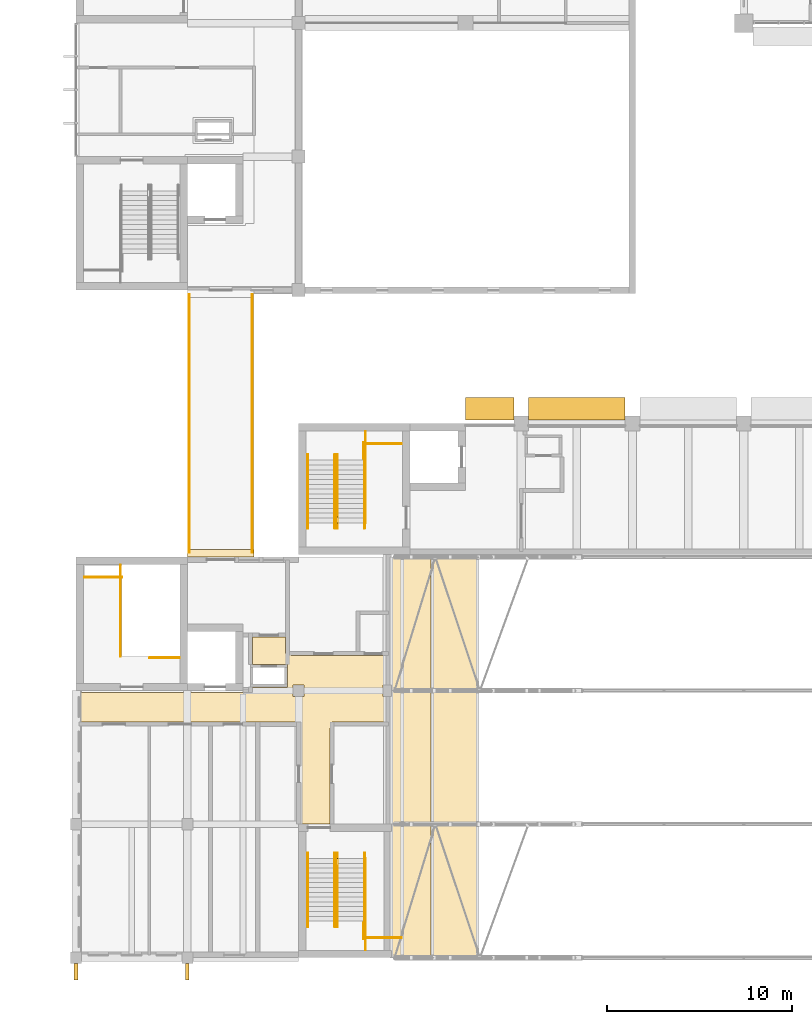
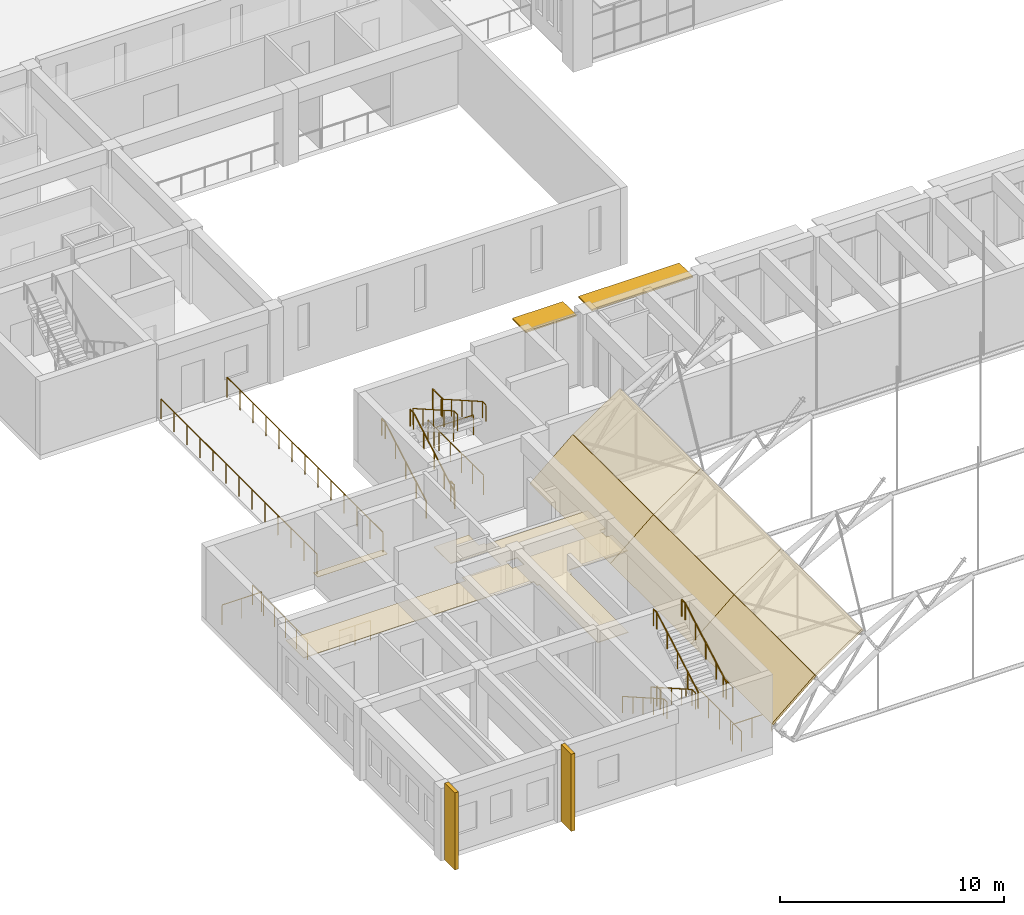
# One storey, part 89 of 101: 21 railings, 8 coverings, 4 shading devices.
"""IFC4 building model written with IfcOpenShell, lengths in metres."""

from ifc_helpers import new_model, si_unit, direction, frame, origin, origin_2d, place, context, subcontext, project, spatial, polyline, rectangle, circle, outline, extrude, material, layer, layer_set, type_object, element, save


model = new_model("IFC4")

# Units and contexts
model_context = context("Model", 3, precision=1e-05, world=origin(), true_north=direction((0.0, 1.0)))
body_context = subcontext(model_context, "Body", "Model", "MODEL_VIEW")
ifc_project = project(units=[si_unit("LENGTHUNIT", "METRE"), si_unit("AREAUNIT", "SQUARE_METRE"), si_unit("VOLUMEUNIT", "CUBIC_METRE"), si_unit("PLANEANGLEUNIT", "RADIAN"), si_unit("MASSUNIT", "GRAM", prefix="KILO")], contexts=[model_context])

# Site, building, storey
site_placement = place(None, origin())
site = spatial("IfcSite", under=ifc_project, at=site_placement, CompositionType="ELEMENT")
building_placement = place(site_placement, origin())
building = spatial("IfcBuilding", under=site, at=building_placement, Name="Laocheng Heights Fire and Rescue Headquarters", CompositionType="ELEMENT")
storey_placement = place(building_placement, frame((0.0, 0.0, 8.39990234375)))
storey = spatial("IfcBuildingStorey", under=building, at=storey_placement, Name="L02", CompositionType="ELEMENT", Elevation=8.39990234375)

# Coverings
ifc_material_1 = material(Name="Standing-seam aluminium roof panel on insulated profiled deck", Category="aluminium")
ifc_layer_1 = layer(ifc_material_1, 0.1201171875)
ifc_layer_set_1 = layer_set([ifc_layer_1], Name="Standing-seam aluminium roof panel on insulated profiled deck")
covering_type_1 = type_object("IfcCoveringType", Name="BAY ROOF COVERING 120", PredefinedType="ROOFING", material=ifc_layer_set_1)
covering_1_placement = place(storey_placement, frame((16.926513671875, 0.0, 1.275634765625), z_axis=(-0.64997068291, 0.0, 0.759959282697), x_axis=(0.759959282697, 0.0, 0.64997068291)))
element("IfcCovering", 1, at=covering_1_placement, inside=storey, type_object=covering_type_1, Name="Roof covering facet 01 bay 1", PredefinedType="ROOFING", context=body_context, shape_type="SweptSolid", body=[
    extrude(outline(polyline([(0.0, 0.0), (2.916673017676569, 0.0), (2.916673017676569, 7.199951171875), (0.0, 7.199951171875), (0.0, 0.0)])), origin(), (0.0, 0.0, -1.0), 0.1201171875),
])
covering_2_placement = place(storey_placement, frame((19.154296875, 0.0, 3.18017578125), z_axis=(-0.562371430188, 0.0, 0.826884740764), x_axis=(0.826884740764, 0.0, 0.562371430188)))
element("IfcCovering", 2, at=covering_2_placement, inside=storey, type_object=covering_type_1, Name="Roof covering facet 02 bay 1", PredefinedType="ROOFING", context=body_context, shape_type="SweptSolid", body=[
    extrude(outline(polyline([(0.0, 0.0), (2.936000938603124, 0.0), (2.936000938603124, 7.199951171875002), (0.0, 7.199951171875002), (0.0, 0.0)])), origin(), (0.0, 0.0, -1.0), 0.1201171875),
])
covering_3_placement = place(storey_placement, frame((16.926513671875, 7.199951171875, 1.275634765625), z_axis=(-0.64997068291, 0.0, 0.759959282697), x_axis=(0.759959282697, 0.0, 0.64997068291)))
element("IfcCovering", 3, at=covering_3_placement, inside=storey, type_object=covering_type_1, Name="Roof covering facet 01 bay 2", PredefinedType="ROOFING", context=body_context, shape_type="SweptSolid", body=[
    extrude(outline(polyline([(0.0, 0.0), (2.916673017676569, 0.0), (2.916673017676569, 7.199951171875), (0.0, 7.199951171875), (0.0, 0.0)])), origin(), (0.0, 0.0, -1.0), 0.1201171875),
])
covering_4_placement = place(storey_placement, frame((19.154296875, 7.199951171875, 3.18017578125), z_axis=(-0.562371430188, 0.0, 0.826884740764), x_axis=(0.826884740764, 0.0, 0.562371430188)))
element("IfcCovering", 4, at=covering_4_placement, inside=storey, type_object=covering_type_1, Name="Roof covering facet 02 bay 2", PredefinedType="ROOFING", context=body_context, shape_type="SweptSolid", body=[
    extrude(outline(polyline([(0.0, 0.0), (2.936000938603124, 0.0), (2.936000938603124, 7.199951171875002), (0.0, 7.199951171875002), (0.0, 0.0)])), origin(), (0.0, 0.0, -1.0), 0.1201171875),
])
covering_5_placement = place(storey_placement, frame((16.926513671875, 14.39990234375, 1.275634765625), z_axis=(-0.64997068291, 0.0, 0.759959282697), x_axis=(0.759959282697, 0.0, 0.64997068291)))
element("IfcCovering", 5, at=covering_5_placement, inside=storey, type_object=covering_type_1, Name="Roof covering facet 01 bay 3", PredefinedType="ROOFING", context=body_context, shape_type="SweptSolid", body=[
    extrude(outline(polyline([(0.0, 0.0), (2.916673017676569, 0.0), (2.916673017676569, 7.2001953125), (0.0, 7.2001953125), (0.0, 0.0)])), origin(), (0.0, 0.0, -1.0), 0.1201171875),
])
covering_6_placement = place(storey_placement, frame((19.154296875, 14.39990234375, 3.18017578125), z_axis=(-0.562371430188, 0.0, 0.826884740764), x_axis=(0.826884740764, 0.0, 0.562371430188)))
element("IfcCovering", 6, at=covering_6_placement, inside=storey, type_object=covering_type_1, Name="Roof covering facet 02 bay 3", PredefinedType="ROOFING", context=body_context, shape_type="SweptSolid", body=[
    extrude(outline(polyline([(0.0, 0.0), (2.936000938603124, 0.0), (2.936000938603124, 7.2001953125), (0.0, 7.2001953125), (0.0, 0.0)])), origin(), (0.0, 0.0, -1.0), 0.1201171875),
])
ifc_material_2 = material(Name="Stainless steel cover plate", Category="steel")
ifc_layer_2 = layer(ifc_material_2, 0.010009765625)
ifc_layer_set_2 = layer_set([ifc_layer_2], Name="Stainless steel cover plate")
covering_type_2 = type_object("IfcCoveringType", Name="MOVEMENT JOINT COVER PLATE 10", PredefinedType="FLOORING", material=ifc_layer_set_2)
covering_7_placement = place(storey_placement, frame((7.800048828125, 21.800048828125, -0.009765625), z_axis=(0.0, 0.0, 1.0), x_axis=(1.0, 0.0, 0.0)))
element("IfcCovering", 7, at=covering_7_placement, inside=storey, type_object=covering_type_2, Name="Bridge B1 movement joint cover plate", PredefinedType="FLOORING", context=body_context, shape_type="SweptSolid", body=[
    extrude(rectangle(XDim=3.60009765625, YDim=0.39990234375, at=origin_2d()), origin(), (0.0, 0.0, 1.0), 0.010009765625),
])

# Shading devices
ifc_material_3 = material(Name="Precast concrete C40/50, light warm grey", Category="concrete")
ifc_layer_3 = layer(ifc_material_3, 0.080078125)
ifc_layer_set_3 = layer_set([ifc_layer_3], Name="Precast concrete C40/50, light warm grey")
shading_device_type_1 = type_object("IfcShadingDeviceType", Name="PRECAST BLADE 1200 x 80 BRISE-SOLEIL GALLERY NORTH", PredefinedType="JALOUSIE", material=ifc_layer_set_3)
shading_device_1_placement = place(storey_placement, frame((22.300048828125, 29.60009765625, 3.56005859375), z_axis=(0.0, 0.0, 1.0), x_axis=(1.0, 0.0, 0.0)))
element("IfcShadingDevice", 8, at=shading_device_1_placement, inside=storey, type_object=shading_device_type_1, Name="BRISE-SOLEIL GALLERY NORTH L02", PredefinedType="JALOUSIE", context=body_context, shape_type="SweptSolid", body=[
    extrude(rectangle(XDim=2.60009765625, YDim=1.199951171875, at=origin_2d()), origin(), (0.0, 0.0, 1.0), 0.080078125),
])
shading_device_2_placement = place(storey_placement, frame((27.0, 29.60009765625, 3.56005859375), z_axis=(0.0, 0.0, 1.0), x_axis=(1.0, 0.0, 0.0)))
element("IfcShadingDevice", 9, at=shading_device_2_placement, inside=storey, type_object=shading_device_type_1, Name="BRISE-SOLEIL GALLERY NORTH L02", PredefinedType="JALOUSIE", context=body_context, shape_type="SweptSolid", body=[
    extrude(rectangle(XDim=5.199951171875, YDim=1.199951171875, at=origin_2d()), origin(), (0.0, 0.0, 1.0), 0.080078125),
])
ifc_material_4 = material(Name="Precast concrete C40/50, light warm grey", Category="concrete")
ifc_layer_4 = layer(ifc_material_4, 0.199951171875)
ifc_layer_set_4 = layer_set([ifc_layer_4], Name="Precast concrete C40/50, light warm grey")
shading_device_type_2 = type_object("IfcShadingDeviceType", Name="PRECAST VERTICAL FIN 200 x 900", PredefinedType="AWNING", material=ifc_layer_set_4)
for number, where, z_axis, x_axis, name in (
    (10, (0.0, -0.75, 0.0), (0.0, 0.0, 1.0), (1.0, 0.0, 0.0), "FIN W FLANK L02 x0"),
    (11, (6.0, -0.75, 0.0), (0.0, 0.0, 1.0), (1.0, 0.0, 0.0), "FIN W FLANK L02 x6"),
):
    element("IfcShadingDevice", number, at=place(storey_placement, frame(where, z_axis=z_axis, x_axis=x_axis)), inside=storey, type_object=shading_device_type_2, Name=name, PredefinedType="AWNING", context=body_context, shape_type="SweptSolid", body=[
        extrude(rectangle(XDim=0.199951171875, YDim=0.89990234375, at=origin_2d()), origin(), (0.0, 0.0, 1.0), 4.199951171875),
    ])

# Railings
ifc_material_5 = material(Name="Steel Q355B", Category="steel")
railing_type_1 = type_object("IfcRailingType", Name="STAIR GUARD 1100", PredefinedType="GUARDRAIL", material=ifc_material_5)
railing_1_placement = place(storey_placement, frame((2.47509765625, 20.52001953125, 0.0)))
element("IfcRailing", 12, at=railing_1_placement, inside=storey, type_object=railing_type_1, Name="Stair W1 guard L02 tongue edge", PredefinedType="GUARDRAIL", context=body_context, shape_type="SweptSolid", body=[
    extrude(circle(Radius=0.02392578125, at=origin_2d()), frame((0.0, 0.0, 1.076171875), z_axis=(-1.0, 0.0, 0.0), x_axis=(0.0, -1.0, 0.0)), (0.0, 0.0, 1.0), 2.025146484375),
    extrude(circle(Radius=0.02099609375, at=origin_2d()), origin(), (0.0, 0.0, 1.0), 1.052001953125),
    extrude(circle(Radius=0.02099609375, at=origin_2d()), frame((-1.0126953125, 0.0, 0.0)), (0.0, 0.0, 1.0), 1.052001953125),
    extrude(circle(Radius=0.02099609375, at=origin_2d()), frame((-2.025146484375, 0.0, 0.0)), (0.0, 0.0, 1.0), 1.052001953125),
])
railing_2_placement = place(storey_placement, frame((2.39501953125, 21.179931640625, 0.0)))
element("IfcRailing", 13, at=railing_2_placement, inside=storey, type_object=railing_type_1, Name="Stair W1 guard L02 strip edge", PredefinedType="GUARDRAIL", context=body_context, shape_type="SweptSolid", body=[
    extrude(circle(Radius=0.02392578125, at=origin_2d()), frame((0.0, 0.0, 1.076171875), z_axis=(0.0, -1.0, 0.0), x_axis=(1.0, 0.0, 0.0)), (0.0, 0.0, 1.0), 4.929931640625),
    extrude(circle(Radius=0.02099609375, at=origin_2d()), origin(), (0.0, 0.0, 1.0), 1.052001953125),
    extrude(circle(Radius=0.02099609375, at=origin_2d()), frame((0.0, -0.986083984375, 0.0)), (0.0, 0.0, 1.0), 1.052001953125),
    extrude(circle(Radius=0.02099609375, at=origin_2d()), frame((0.0, -1.971923828125, 0.0)), (0.0, 0.0, 1.0), 1.052001953125),
    extrude(circle(Radius=0.02099609375, at=origin_2d()), frame((0.0, -2.9580078125, 0.0)), (0.0, 0.0, 1.0), 1.052001953125),
    extrude(circle(Radius=0.02099609375, at=origin_2d()), frame((0.0, -3.94384765625, 0.0)), (0.0, 0.0, 1.0), 1.052001953125),
    extrude(circle(Radius=0.02099609375, at=origin_2d()), frame((0.0, -4.929931640625, 0.0)), (0.0, 0.0, 1.0), 1.052001953125),
])
railing_3_placement = place(storey_placement, frame((5.580078125, 16.169921875, 0.0)))
element("IfcRailing", 14, at=railing_3_placement, inside=storey, type_object=railing_type_1, Name="Stair W1 guard L02 flight opening", PredefinedType="GUARDRAIL", context=body_context, shape_type="SweptSolid", body=[
    extrude(circle(Radius=0.02392578125, at=origin_2d()), frame((0.0, 0.0, 1.076171875), z_axis=(-1.0, 0.0, 0.0), x_axis=(0.0, -1.0, 0.0)), (0.0, 0.0, 1.0), 1.60498046875),
    extrude(circle(Radius=0.02099609375, at=origin_2d()), origin(), (0.0, 0.0, 1.0), 1.052001953125),
    extrude(circle(Radius=0.02099609375, at=origin_2d()), frame((-0.802490234375, 0.0, 0.0)), (0.0, 0.0, 1.0), 1.052001953125),
    extrude(circle(Radius=0.02099609375, at=origin_2d()), frame((-1.60498046875, 0.0, 0.0)), (0.0, 0.0, 1.0), 1.052001953125),
])
railing_4_placement = place(storey_placement, frame((14.094970703125, 5.0498046875, 0.0)))
element("IfcRailing", 15, at=railing_4_placement, inside=storey, type_object=railing_type_1, Name="Stair W2 guard L02 well edge", PredefinedType="GUARDRAIL", context=body_context, shape_type="SweptSolid", body=[
    extrude(circle(Radius=0.02392578125, at=origin_2d()), frame((0.0, 0.0, 1.076171875), z_axis=(0.0, 1.0, 0.0), x_axis=(-1.0, 0.0, 0.0)), (0.0, 0.0, 1.0), 0.30029296875),
    extrude(circle(Radius=0.02099609375, at=origin_2d()), origin(), (0.0, 0.0, 1.0), 1.052001953125),
    extrude(circle(Radius=0.02099609375, at=origin_2d()), frame((0.0, 0.30029296875, 0.0)), (0.0, 0.0, 1.0), 1.052001953125),
])
railing_5_placement = place(storey_placement, frame((15.52490234375, 1.080078125, 0.0)))
element("IfcRailing", 16, at=railing_5_placement, inside=storey, type_object=railing_type_1, Name="Stair W2 guard L02 tongue edge", PredefinedType="GUARDRAIL", context=body_context, shape_type="SweptSolid", body=[
    extrude(circle(Radius=0.02392578125, at=origin_2d()), frame((0.0, 0.0, 1.076171875), z_axis=(1.0, 0.0, 0.0), x_axis=(0.0, 1.0, 0.0)), (0.0, 0.0, 1.0), 2.025146484375),
    extrude(circle(Radius=0.02099609375, at=origin_2d()), origin(), (0.0, 0.0, 1.0), 1.052001953125),
    extrude(circle(Radius=0.02099609375, at=origin_2d()), frame((1.0126953125, 0.0, 0.0)), (0.0, 0.0, 1.0), 1.052001953125),
    extrude(circle(Radius=0.02099609375, at=origin_2d()), frame((2.025146484375, 0.0, 0.0)), (0.0, 0.0, 1.0), 1.052001953125),
])
railing_6_placement = place(storey_placement, frame((15.60498046875, 0.419921875, 0.0)))
element("IfcRailing", 17, at=railing_6_placement, inside=storey, type_object=railing_type_1, Name="Stair W2 guard L02 strip edge", PredefinedType="GUARDRAIL", context=body_context, shape_type="SweptSolid", body=[
    extrude(circle(Radius=0.02392578125, at=origin_2d()), frame((0.0, 0.0, 1.076171875), z_axis=(0.0, 1.0, 0.0), x_axis=(-1.0, 0.0, 0.0)), (0.0, 0.0, 1.0), 4.93017578125),
    extrude(circle(Radius=0.02099609375, at=origin_2d()), origin(), (0.0, 0.0, 1.0), 1.052001953125),
    extrude(circle(Radius=0.02099609375, at=origin_2d()), frame((0.0, 0.986083984375, 0.0)), (0.0, 0.0, 1.0), 1.052001953125),
    extrude(circle(Radius=0.02099609375, at=origin_2d()), frame((0.0, 1.97216796875, 0.0)), (0.0, 0.0, 1.0), 1.052001953125),
    extrude(circle(Radius=0.02099609375, at=origin_2d()), frame((0.0, 2.9580078125, 0.0)), (0.0, 0.0, 1.0), 1.052001953125),
    extrude(circle(Radius=0.02099609375, at=origin_2d()), frame((0.0, 3.944091796875, 0.0)), (0.0, 0.0, 1.0), 1.052001953125),
    extrude(circle(Radius=0.02099609375, at=origin_2d()), frame((0.0, 4.93017578125, 0.0)), (0.0, 0.0, 1.0), 1.052001953125),
])
railing_7_placement = place(storey_placement, frame((15.4951171875, 1.02001953125, 2.10009765625)))
element("IfcRailing", 18, at=railing_7_placement, inside=storey, type_object=railing_type_1, Name="Stair W2 guard L02 half landing", PredefinedType="GUARDRAIL", context=body_context, shape_type="SweptSolid", body=[
    extrude(circle(Radius=0.02392578125, at=origin_2d()), frame((0.0, 0.0, 1.076171875), z_axis=(0.0, 1.0, 0.0), x_axis=(-1.0, 0.0, 0.0)), (0.0, 0.0, 1.0), 0.85009765625),
    extrude(circle(Radius=0.02099609375, at=origin_2d()), origin(), (0.0, 0.0, 1.0), 1.052001953125),
    extrude(circle(Radius=0.02099609375, at=origin_2d()), frame((0.0, 0.85009765625, 0.0)), (0.0, 0.0, 1.0), 1.052001953125),
])
railing_8_placement = place(storey_placement, frame((14.094970703125, 23.750244140625, 0.0)))
element("IfcRailing", 19, at=railing_8_placement, inside=storey, type_object=railing_type_1, Name="Stair G1 guard L02 well edge", PredefinedType="GUARDRAIL", context=body_context, shape_type="SweptSolid", body=[
    extrude(circle(Radius=0.02392578125, at=origin_2d()), frame((0.0, 0.0, 1.076171875), z_axis=(0.0, -1.0, 0.0), x_axis=(1.0, 0.0, 0.0)), (0.0, 0.0, 1.0), 0.30029296875),
    extrude(circle(Radius=0.02099609375, at=origin_2d()), origin(), (0.0, 0.0, 1.0), 1.052001953125),
    extrude(circle(Radius=0.02099609375, at=origin_2d()), frame((0.0, -0.30029296875, 0.0)), (0.0, 0.0, 1.0), 1.052001953125),
])
railing_9_placement = place(storey_placement, frame((15.52490234375, 27.719970703125, 0.0)))
element("IfcRailing", 20, at=railing_9_placement, inside=storey, type_object=railing_type_1, Name="Stair G1 guard L02 tongue edge", PredefinedType="GUARDRAIL", context=body_context, shape_type="SweptSolid", body=[
    extrude(circle(Radius=0.02392578125, at=origin_2d()), frame((0.0, 0.0, 1.076171875), z_axis=(1.0, 0.0, 0.0), x_axis=(0.0, 1.0, 0.0)), (0.0, 0.0, 1.0), 2.025146484375),
    extrude(circle(Radius=0.02099609375, at=origin_2d()), origin(), (0.0, 0.0, 1.0), 1.052001953125),
    extrude(circle(Radius=0.02099609375, at=origin_2d()), frame((1.0126953125, 0.0, 0.0)), (0.0, 0.0, 1.0), 1.052001953125),
    extrude(circle(Radius=0.02099609375, at=origin_2d()), frame((2.025146484375, 0.0, 0.0)), (0.0, 0.0, 1.0), 1.052001953125),
])
railing_10_placement = place(storey_placement, frame((15.60498046875, 28.3798828125, 0.0)))
element("IfcRailing", 21, at=railing_10_placement, inside=storey, type_object=railing_type_1, Name="Stair G1 guard L02 strip edge", PredefinedType="GUARDRAIL", context=body_context, shape_type="SweptSolid", body=[
    extrude(circle(Radius=0.02392578125, at=origin_2d()), frame((0.0, 0.0, 1.076171875), z_axis=(0.0, -1.0, 0.0), x_axis=(1.0, 0.0, 0.0)), (0.0, 0.0, 1.0), 4.929931640625),
    extrude(circle(Radius=0.02099609375, at=origin_2d()), origin(), (0.0, 0.0, 1.0), 1.052001953125),
    extrude(circle(Radius=0.02099609375, at=origin_2d()), frame((0.0, -0.986083984375, 0.0)), (0.0, 0.0, 1.0), 1.052001953125),
    extrude(circle(Radius=0.02099609375, at=origin_2d()), frame((0.0, -1.971923828125, 0.0)), (0.0, 0.0, 1.0), 1.052001953125),
    extrude(circle(Radius=0.02099609375, at=origin_2d()), frame((0.0, -2.9580078125, 0.0)), (0.0, 0.0, 1.0), 1.052001953125),
    extrude(circle(Radius=0.02099609375, at=origin_2d()), frame((0.0, -3.94384765625, 0.0)), (0.0, 0.0, 1.0), 1.052001953125),
    extrude(circle(Radius=0.02099609375, at=origin_2d()), frame((0.0, -4.929931640625, 0.0)), (0.0, 0.0, 1.0), 1.052001953125),
])
railing_11_placement = place(storey_placement, frame((15.4951171875, 27.780029296875, 2.10009765625)))
element("IfcRailing", 22, at=railing_11_placement, inside=storey, type_object=railing_type_1, Name="Stair G1 guard L02 half landing", PredefinedType="GUARDRAIL", context=body_context, shape_type="SweptSolid", body=[
    extrude(circle(Radius=0.02392578125, at=origin_2d()), frame((0.0, 0.0, 1.076171875), z_axis=(0.0, -1.0, 0.0), x_axis=(1.0, 0.0, 0.0)), (0.0, 0.0, 1.0), 0.85009765625),
    extrude(circle(Radius=0.02099609375, at=origin_2d()), origin(), (0.0, 0.0, 1.0), 1.052001953125),
    extrude(circle(Radius=0.02099609375, at=origin_2d()), frame((0.0, -0.85009765625, 0.0)), (0.0, 0.0, 1.0), 1.052001953125),
])
ifc_material_6 = material(Name="Steel Q355B", Category="steel")
railing_type_2 = type_object("IfcRailingType", Name="STAIR HANDRAIL 920", PredefinedType="HANDRAIL", material=ifc_material_6)
for number, where, name in (
    (23, (12.4951171875, 5.64990234375, 0.0), "Stair W2 handrail L02 1"),
    (24, (13.955078125, 5.64990234375, 0.0), "Stair W2 handrail L02 2"),
):
    element("IfcRailing", number, at=place(storey_placement, frame(where)), inside=storey, type_object=railing_type_2, Name=name, PredefinedType="HANDRAIL", context=body_context, shape_type="SweptSolid", body=[
        extrude(circle(Radius=0.02392578125, at=origin_2d()), frame((0.0, 0.0, 0.89599609375), z_axis=(0.0, -0.868519587458, 0.495654845838), x_axis=(1.0, 0.0, 0.0)), (0.0, 0.0, 1.0), 4.237060546875),
        extrude(circle(Radius=0.02392578125, at=origin_2d()), frame((0.0, -3.679931640625, 2.99609375), z_axis=(0.0, -1.0, 0.0), x_axis=(1.0, 0.0, 0.0)), (0.0, 0.0, 1.0), 0.300048828125),
        extrude(circle(Radius=0.02099609375, at=origin_2d()), origin(), (0.0, 0.0, 1.0), 0.871826171875),
        extrude(circle(Radius=0.02099609375, at=origin_2d()), frame((0.0, -0.919921875, 0.52490234375)), (0.0, 0.0, 1.0), 0.871826171875),
        extrude(circle(Radius=0.02099609375, at=origin_2d()), frame((0.0, -1.83984375, 1.050048828125)), (0.0, 0.0, 1.0), 0.871826171875),
        extrude(circle(Radius=0.02099609375, at=origin_2d()), frame((0.0, -2.760009765625, 1.5751953125)), (0.0, 0.0, 1.0), 0.871826171875),
        extrude(circle(Radius=0.02099609375, at=origin_2d()), frame((0.0, -3.679931640625, 2.10009765625)), (0.0, 0.0, 1.0), 0.871826171875),
        extrude(circle(Radius=0.02099609375, at=origin_2d()), frame((0.0, -3.97998046875, 2.10009765625)), (0.0, 0.0, 1.0), 0.871826171875),
    ])
for number, where, name in (
    (25, (14.094970703125, 1.669921875, 2.10009765625), "Stair W2 handrail L02 3"),
    (26, (15.554931640625, 1.669921875, 2.10009765625), "Stair W2 handrail L02 4"),
    (27, (12.4951171875, 23.14990234375, 0.0), "Stair G1 handrail L02 1"),
    (28, (13.955078125, 23.14990234375, 0.0), "Stair G1 handrail L02 2"),
):
    element("IfcRailing", number, at=place(storey_placement, frame(where)), inside=storey, type_object=railing_type_2, Name=name, PredefinedType="HANDRAIL", context=body_context, shape_type="SweptSolid", body=[
        extrude(circle(Radius=0.02392578125, at=origin_2d()), frame((0.0, 0.0, 0.89599609375), z_axis=(0.0, 0.868533742332, 0.495630041896), x_axis=(-1.0, 0.0, 0.0)), (0.0, 0.0, 1.0), 4.2373046875),
        extrude(circle(Radius=0.02392578125, at=origin_2d()), frame((0.0, 3.68017578125, 2.99609375), z_axis=(0.0, 1.0, 0.0), x_axis=(-1.0, 0.0, 0.0)), (0.0, 0.0, 1.0), 0.2998046875),
        extrude(circle(Radius=0.02099609375, at=origin_2d()), origin(), (0.0, 0.0, 1.0), 0.871826171875),
        extrude(circle(Radius=0.02099609375, at=origin_2d()), frame((0.0, 0.919921875, 0.52490234375)), (0.0, 0.0, 1.0), 0.871826171875),
        extrude(circle(Radius=0.02099609375, at=origin_2d()), frame((0.0, 1.840087890625, 1.050048828125)), (0.0, 0.0, 1.0), 0.871826171875),
        extrude(circle(Radius=0.02099609375, at=origin_2d()), frame((0.0, 2.76025390625, 1.5751953125)), (0.0, 0.0, 1.0), 0.871826171875),
        extrude(circle(Radius=0.02099609375, at=origin_2d()), frame((0.0, 3.68017578125, 2.10009765625)), (0.0, 0.0, 1.0), 0.871826171875),
        extrude(circle(Radius=0.02099609375, at=origin_2d()), frame((0.0, 3.97998046875, 2.10009765625)), (0.0, 0.0, 1.0), 0.871826171875),
    ])
for number, where, name in (
    (29, (14.094970703125, 27.1298828125, 2.10009765625), "Stair G1 handrail L02 3"),
    (30, (15.554931640625, 27.1298828125, 2.10009765625), "Stair G1 handrail L02 4"),
):
    element("IfcRailing", number, at=place(storey_placement, frame(where)), inside=storey, type_object=railing_type_2, Name=name, PredefinedType="HANDRAIL", context=body_context, shape_type="SweptSolid", body=[
        extrude(circle(Radius=0.02392578125, at=origin_2d()), frame((0.0, 0.0, 0.89599609375), z_axis=(0.0, -0.868519587458, 0.495654845838), x_axis=(1.0, 0.0, 0.0)), (0.0, 0.0, 1.0), 4.237060546875),
        extrude(circle(Radius=0.02392578125, at=origin_2d()), frame((0.0, -3.679931640625, 2.99609375), z_axis=(0.0, -1.0, 0.0), x_axis=(1.0, 0.0, 0.0)), (0.0, 0.0, 1.0), 0.300048828125),
        extrude(circle(Radius=0.02099609375, at=origin_2d()), origin(), (0.0, 0.0, 1.0), 0.871826171875),
        extrude(circle(Radius=0.02099609375, at=origin_2d()), frame((0.0, -0.919921875, 0.52490234375)), (0.0, 0.0, 1.0), 0.871826171875),
        extrude(circle(Radius=0.02099609375, at=origin_2d()), frame((0.0, -1.83984375, 1.050048828125)), (0.0, 0.0, 1.0), 0.871826171875),
        extrude(circle(Radius=0.02099609375, at=origin_2d()), frame((0.0, -2.760009765625, 1.5751953125)), (0.0, 0.0, 1.0), 0.871826171875),
        extrude(circle(Radius=0.02099609375, at=origin_2d()), frame((0.0, -3.679931640625, 2.10009765625)), (0.0, 0.0, 1.0), 0.871826171875),
        extrude(circle(Radius=0.02099609375, at=origin_2d()), frame((0.0, -3.97998046875, 2.10009765625)), (0.0, 0.0, 1.0), 0.871826171875),
    ])
ifc_material_7 = material(Name="Steel Q355B", Category="steel")
railing_type_3 = type_object("IfcRailingType", Name="STEEL GUARDRAIL 1100 BRIDGE", PredefinedType="GUARDRAIL", material=ifc_material_7)
railing_12_placement = place(storey_placement, frame((6.10009765625, 35.75, 0.0)))
element("IfcRailing", 31, at=railing_12_placement, inside=storey, type_object=railing_type_3, Name="Bridge B1 guard", PredefinedType="GUARDRAIL", context=body_context, shape_type="SweptSolid", body=[
    extrude(circle(Radius=0.02490234375, at=origin_2d()), frame((0.0, 0.0, 1.0751953125), z_axis=(0.0, -1.0, 0.0), x_axis=(1.0, 0.0, 0.0)), (0.0, 0.0, 1.0), 13.89990234375),
    extrude(circle(Radius=0.02490234375, at=origin_2d()), origin(), (0.0, 0.0, 1.0), 1.050048828125),
    extrude(circle(Radius=0.02490234375, at=origin_2d()), frame((0.0, -1.158203125, 0.0)), (0.0, 0.0, 1.0), 1.050048828125),
    extrude(circle(Radius=0.02490234375, at=origin_2d()), frame((0.0, -2.316650390625, 0.0)), (0.0, 0.0, 1.0), 1.050048828125),
    extrude(circle(Radius=0.02490234375, at=origin_2d()), frame((0.0, -3.47509765625, 0.0)), (0.0, 0.0, 1.0), 1.050048828125),
    extrude(circle(Radius=0.02490234375, at=origin_2d()), frame((0.0, -4.63330078125, 0.0)), (0.0, 0.0, 1.0), 1.050048828125),
    extrude(circle(Radius=0.02490234375, at=origin_2d()), frame((0.0, -5.79150390625, 0.0)), (0.0, 0.0, 1.0), 1.050048828125),
    extrude(circle(Radius=0.02490234375, at=origin_2d()), frame((0.0, -6.949951171875, 0.0)), (0.0, 0.0, 1.0), 1.050048828125),
    extrude(circle(Radius=0.02490234375, at=origin_2d()), frame((0.0, -8.1083984375, 0.0)), (0.0, 0.0, 1.0), 1.050048828125),
    extrude(circle(Radius=0.02490234375, at=origin_2d()), frame((0.0, -9.2666015625, 0.0)), (0.0, 0.0, 1.0), 1.050048828125),
    extrude(circle(Radius=0.02490234375, at=origin_2d()), frame((0.0, -10.4248046875, 0.0)), (0.0, 0.0, 1.0), 1.050048828125),
    extrude(circle(Radius=0.02490234375, at=origin_2d()), frame((0.0, -11.583251953125, 0.0)), (0.0, 0.0, 1.0), 1.050048828125),
    extrude(circle(Radius=0.02490234375, at=origin_2d()), frame((0.0, -12.74169921875, 0.0)), (0.0, 0.0, 1.0), 1.050048828125),
    extrude(circle(Radius=0.02490234375, at=origin_2d()), frame((0.0, -13.89990234375, 0.0)), (0.0, 0.0, 1.0), 1.050048828125),
])
railing_13_placement = place(storey_placement, frame((9.5, 21.85009765625, 0.0)))
element("IfcRailing", 32, at=railing_13_placement, inside=storey, type_object=railing_type_3, Name="Bridge B1 guard", PredefinedType="GUARDRAIL", context=body_context, shape_type="SweptSolid", body=[
    extrude(circle(Radius=0.02490234375, at=origin_2d()), frame((0.0, 0.0, 1.0751953125), z_axis=(0.0, 1.0, 0.0), x_axis=(-1.0, 0.0, 0.0)), (0.0, 0.0, 1.0), 13.89990234375),
    extrude(circle(Radius=0.02490234375, at=origin_2d()), origin(), (0.0, 0.0, 1.0), 1.050048828125),
    extrude(circle(Radius=0.02490234375, at=origin_2d()), frame((0.0, 1.158203125, 0.0)), (0.0, 0.0, 1.0), 1.050048828125),
    extrude(circle(Radius=0.02490234375, at=origin_2d()), frame((0.0, 2.316650390625, 0.0)), (0.0, 0.0, 1.0), 1.050048828125),
    extrude(circle(Radius=0.02490234375, at=origin_2d()), frame((0.0, 3.47509765625, 0.0)), (0.0, 0.0, 1.0), 1.050048828125),
    extrude(circle(Radius=0.02490234375, at=origin_2d()), frame((0.0, 4.63330078125, 0.0)), (0.0, 0.0, 1.0), 1.050048828125),
    extrude(circle(Radius=0.02490234375, at=origin_2d()), frame((0.0, 5.79150390625, 0.0)), (0.0, 0.0, 1.0), 1.050048828125),
    extrude(circle(Radius=0.02490234375, at=origin_2d()), frame((0.0, 6.949951171875, 0.0)), (0.0, 0.0, 1.0), 1.050048828125),
    extrude(circle(Radius=0.02490234375, at=origin_2d()), frame((0.0, 8.1083984375, 0.0)), (0.0, 0.0, 1.0), 1.050048828125),
    extrude(circle(Radius=0.02490234375, at=origin_2d()), frame((0.0, 9.2666015625, 0.0)), (0.0, 0.0, 1.0), 1.050048828125),
    extrude(circle(Radius=0.02490234375, at=origin_2d()), frame((0.0, 10.4248046875, 0.0)), (0.0, 0.0, 1.0), 1.050048828125),
    extrude(circle(Radius=0.02490234375, at=origin_2d()), frame((0.0, 11.583251953125, 0.0)), (0.0, 0.0, 1.0), 1.050048828125),
    extrude(circle(Radius=0.02490234375, at=origin_2d()), frame((0.0, 12.74169921875, 0.0)), (0.0, 0.0, 1.0), 1.050048828125),
    extrude(circle(Radius=0.02490234375, at=origin_2d()), frame((0.0, 13.89990234375, 0.0)), (0.0, 0.0, 1.0), 1.050048828125),
])

# Covering
ifc_material_8 = material(Name="Mineral fibre ceiling tile")
ifc_layer_5 = layer(ifc_material_8, 0.0400390625)
ifc_layer_set_5 = layer_set([ifc_layer_5], Name="Mineral fibre ceiling tile")
covering_type_3 = type_object("IfcCoveringType", Name="SUSPENDED CEILING MINERAL FIBRE TILE", PredefinedType="CEILING", material=ifc_layer_set_5)
covering_8_placement = place(storey_placement, frame((0.0, 0.0, 3.0)))
element("IfcCovering", 33, at=covering_8_placement, inside=storey, type_object=covering_type_3, Name="Circulation W flank ceiling", PredefinedType="CEILING", context=body_context, shape_type="SweptSolid", body=[
    extrude(outline(polyline([(9.39990234375, 14.300048828125), (9.39990234375, 14.39990234375), (9.39990234375, 14.60009765625), (9.5, 14.60009765625), (11.199951171875, 14.60009765625), (11.39990234375, 14.60009765625), (11.39990234375, 15.800048828125), (11.300048828125, 15.800048828125), (11.199951171875, 15.800048828125), (9.5, 15.800048828125), (9.5, 17.300048828125), (11.300048828125, 17.300048828125), (11.300048828125, 16.39990234375), (11.39990234375, 16.39990234375), (11.60009765625, 16.39990234375), (11.60009765625, 16.300048828125), (16.85009765625, 16.300048828125), (16.85009765625, 14.699951171875), (16.550048828125, 14.699951171875), (16.550048828125, 14.10009765625), (16.85009765625, 14.10009765625), (16.85009765625, 12.719970703125), (13.800048828125, 12.719970703125), (13.800048828125, 12.60009765625), (13.800048828125, 12.39990234375), (13.699951171875, 12.39990234375), (13.699951171875, 7.199951171875), (12.1201171875, 7.199951171875), (12.1201171875, 12.39990234375), (12.0, 12.39990234375), (12.0, 12.60009765625), (12.0, 12.719970703125), (0.14990234375, 12.719970703125), (0.14990234375, 14.300048828125), (9.39990234375, 14.300048828125)]), holes=[polyline([(11.699951171875, 14.10009765625), (12.300048828125, 14.10009765625), (12.300048828125, 14.699951171875), (11.699951171875, 14.699951171875), (11.699951171875, 14.10009765625)])]), origin(), (0.0, 0.0, 1.0), 0.0400390625),
])

save(model, "model.ifc")
